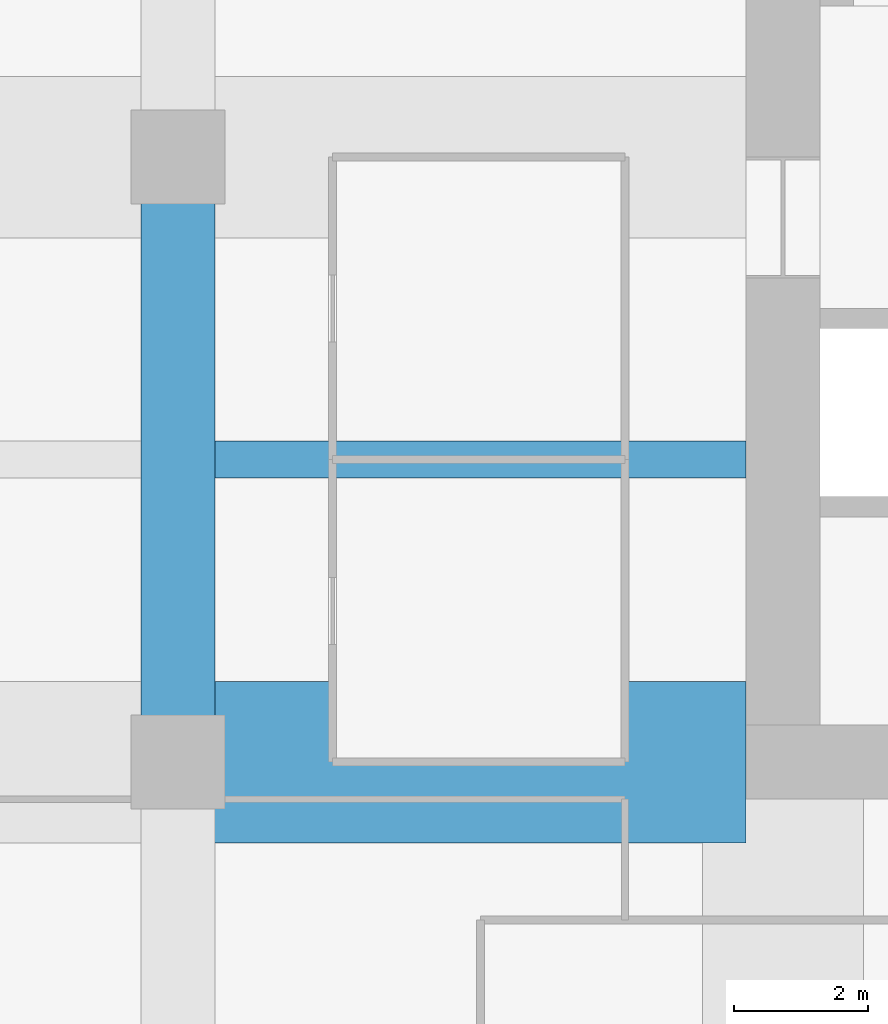
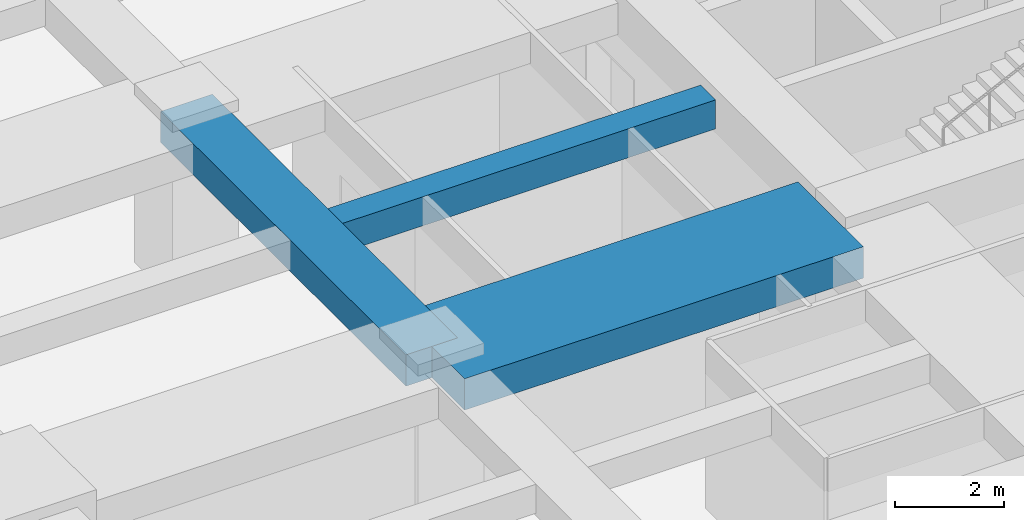
# One storey, part 10 of 34: 3 beams.
"""IFC4 building model written with IfcOpenShell, lengths in metres."""

from ifc_helpers import new_model, si_unit, direction, frame, origin, origin_2d, place, context, subcontext, project, spatial, rectangle, extrude, material, material_profile, profile_set, type_object, element, save


model = new_model("IFC4")

# Units and contexts
model_context = context("Model", 3, precision=1e-05, world=origin(), true_north=direction((0.0, 1.0)))
body_context = subcontext(model_context, "Body", "Model", "MODEL_VIEW")
ifc_project = project(units=[si_unit("LENGTHUNIT", "METRE"), si_unit("AREAUNIT", "SQUARE_METRE"), si_unit("VOLUMEUNIT", "CUBIC_METRE"), si_unit("PLANEANGLEUNIT", "RADIAN"), si_unit("MASSUNIT", "GRAM", prefix="KILO")], contexts=[model_context])

# Site, building, storey
site_placement = place(None, origin())
site = spatial("IfcSite", under=ifc_project, at=site_placement, CompositionType="ELEMENT")
building_placement = place(site_placement, origin())
building = spatial("IfcBuilding", under=site, at=building_placement, Name="Zorevar Civic Tower", CompositionType="ELEMENT")
storey_placement = place(building_placement, frame((0.0, 0.0, 226.199951171875)))
storey = spatial("IfcBuildingStorey", under=building, at=storey_placement, Name="L55", CompositionType="ELEMENT", Elevation=226.199951171875)

# Beams
ifc_material_1 = material(Name="Concrete C50/60", Category="concrete")
ifc_material_profile_1 = material_profile(ifc_material_1, rectangle(XDim=1.10009765625, YDim=0.699951171875, at=origin_2d()), Name="RC 1100x700")
ifc_profile_set_1 = profile_set([ifc_material_profile_1], Name="Concrete C50/60")
beam_type_1 = type_object("IfcBeamType", Name="Beam RC 1100x700", PredefinedType="BEAM", material=ifc_profile_set_1)
beam_1_placement = place(storey_placement, frame((9.0, 18.0, 3.400146484375), z_axis=(0.0, 1.0, 0.0), x_axis=(-1.0, 0.0, 0.0)))
element("IfcBeam", 1, at=beam_1_placement, inside=storey, type_object=beam_type_1, Name="Girder L56", PredefinedType="BEAM", context=body_context, shape_type="SweptSolid", body=[
    extrude(rectangle(XDim=1.10009765625, YDim=0.699951171875, at=origin_2d()), origin(), (0.0, 0.0, 1.0), 9.0),
])
ifc_material_2 = material(Name="Concrete C50/60", Category="concrete")
ifc_material_profile_2 = material_profile(ifc_material_2, rectangle(XDim=2.39990234375, YDim=0.699951171875, at=origin_2d()), Name="RC 2400x700")
ifc_profile_set_2 = profile_set([ifc_material_profile_2], Name="Concrete C50/60")
beam_type_2 = type_object("IfcBeamType", Name="Beam RC 2400x700", PredefinedType="BEAM", material=ifc_profile_set_2)
beam_2_placement = place(storey_placement, frame((9.0, 18.0, 3.400146484375), z_axis=(1.0, 0.0, 0.0), x_axis=(0.0, 1.0, 0.0)))
element("IfcBeam", 2, at=beam_2_placement, inside=storey, type_object=beam_type_2, Name="Girder L56", PredefinedType="BEAM", context=body_context, shape_type="SweptSolid", body=[
    extrude(rectangle(XDim=2.39990234375, YDim=0.699951171875, at=origin_2d()), origin(), (0.0, 0.0, 1.0), 8.449951171875),
])
ifc_material_3 = material(Name="Concrete C50/60", Category="concrete")
ifc_material_profile_3 = material_profile(ifc_material_3, rectangle(XDim=0.550048828125, YDim=0.64990234375, at=origin_2d()), Name="RC 550x650")
ifc_profile_set_3 = profile_set([ifc_material_profile_3], Name="Concrete C50/60")
beam_type_3 = type_object("IfcBeamType", Name="Beam RC 550x650", PredefinedType="BEAM", material=ifc_profile_set_3)
beam_3_placement = place(storey_placement, frame((9.550048828125, 22.5, 3.425048828125), z_axis=(1.0, 0.0, 0.0), x_axis=(0.0, 1.0, 0.0)))
element("IfcBeam", 3, at=beam_3_placement, inside=storey, type_object=beam_type_3, Name="Secondary beam L56", PredefinedType="BEAM", context=body_context, shape_type="SweptSolid", body=[
    extrude(rectangle(XDim=0.550048828125, YDim=0.64990234375, at=origin_2d()), origin(), (0.0, 0.0, 1.0), 7.89990234375),
])

save(model, "model.ifc")
